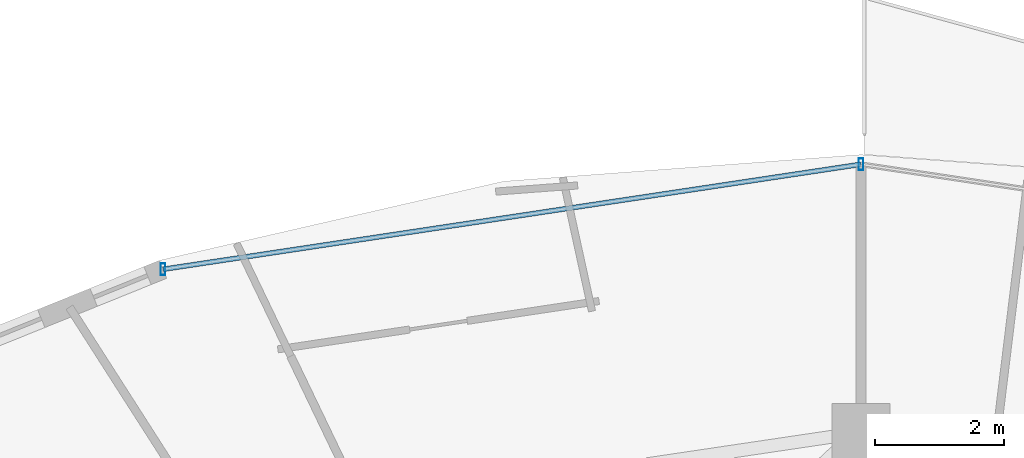
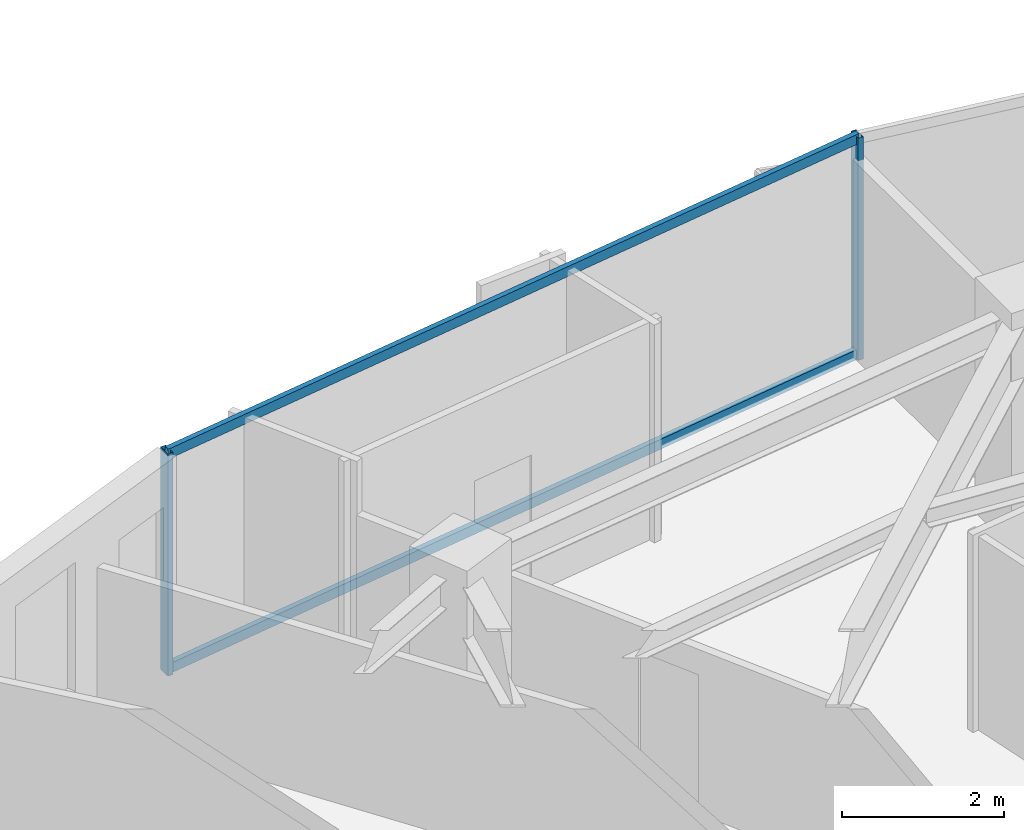
# One storey, part 19 of 33: 4 members, 1 element without a shape of its own.
"""IFC4 building model written with IfcOpenShell, lengths in metres."""

from ifc_helpers import new_model, si_unit, direction, frame, origin, origin_2d, place, context, subcontext, project, spatial, hollow_rectangle, extrude, material, material_profile, profile_set, type_object, element, aggregate, save


model = new_model("IFC4")

# Units and contexts
model_context = context("Model", 3, precision=1e-05, world=origin(), true_north=direction((0.0, 1.0)))
body_context = subcontext(model_context, "Body", "Model", "MODEL_VIEW")
ifc_project = project(units=[si_unit("LENGTHUNIT", "METRE"), si_unit("AREAUNIT", "SQUARE_METRE"), si_unit("VOLUMEUNIT", "CUBIC_METRE"), si_unit("PLANEANGLEUNIT", "RADIAN"), si_unit("MASSUNIT", "GRAM", prefix="KILO")], contexts=[model_context])

# Site, building, storey
site_placement = place(None, origin())
site = spatial("IfcSite", under=ifc_project, at=site_placement, CompositionType="ELEMENT")
building_placement = place(site_placement, origin())
building = spatial("IfcBuilding", under=site, at=building_placement, Name="Vorneva Point Tower", CompositionType="ELEMENT")
storey_placement = place(building_placement, frame((0.0, 0.0, 217.85009765625)))
storey = spatial("IfcBuildingStorey", under=building, at=storey_placement, Name="L59", CompositionType="ELEMENT", Elevation=217.85009765625)

# Curtain wall, members
ifc_material = material(Name="Pale anodised aluminium", Category="aluminium")
curtain_wall_type = type_object("IfcCurtainWallType", Name="CW-RES-SYS", PredefinedType="NOTDEFINED", material=ifc_material)
curtain_wall_placement = place(storey_placement, origin())
curtain_wall = element("IfcCurtainWall", 1, at=curtain_wall_placement, inside=storey, type_object=curtain_wall_type, Name="L59 Unitised Curtain Wall CW-L59-R01", PredefinedType="NOTDEFINED")
ifc_material_profile_1 = material_profile(ifc_material, hollow_rectangle(XDim=0.074951171875, YDim=0.179931640625, WallThickness=0.00390625, at=origin_2d()), Name="AL-MUL 180x75x4")
ifc_profile_set_1 = profile_set([ifc_material_profile_1], Name="Pale anodised aluminium")
member_type_1 = type_object("IfcMemberType", Name="CW-MUL-180", PredefinedType="MULLION", material=ifc_profile_set_1)
member_1_placement = place(storey_placement, frame((38.0, 47.35009765625, -0.0400390625), z_axis=(0.0, 0.0, 1.0), x_axis=(1.0, 0.0, 0.0)))
member_1 = element("IfcMember", 2, at=member_1_placement, type_object=member_type_1, Name="CW-L59-R01 Mullion 04", PredefinedType="MULLION", context=body_context, shape_type="SweptSolid", body=[
    extrude(hollow_rectangle(XDim=0.074951171875, YDim=0.179931640625, WallThickness=0.00390625, at=origin_2d()), origin(), (0.0, 0.0, 1.0), 3.35986328125),
])
member_2_placement = place(storey_placement, frame((27.19677734375, 45.724853515625, -0.0400390625), z_axis=(0.0, 0.0, 1.0), x_axis=(1.0, 0.0, 0.0)))
member_2 = element("IfcMember", 3, at=member_2_placement, type_object=member_type_1, Name="CW-L59-R01 Mullion 05", PredefinedType="MULLION", context=body_context, shape_type="SweptSolid", body=[
    extrude(hollow_rectangle(XDim=0.074951171875, YDim=0.179931640625, WallThickness=0.00390625, at=origin_2d()), origin(), (0.0, 0.0, 1.0), 3.35986328125),
])
ifc_material_profile_2 = material_profile(ifc_material, hollow_rectangle(XDim=0.074951171875, YDim=0.14990234375, WallThickness=0.00390625, at=origin_2d()), Name="AL-TRN 150x75x4")
ifc_profile_set_2 = profile_set([ifc_material_profile_2], Name="Pale anodised aluminium")
member_type_2 = type_object("IfcMemberType", Name="CW-TRN-150", PredefinedType="USERDEFINED", material=ifc_profile_set_2)
member_3_placement = place(storey_placement, frame((38.0, 47.35009765625, 0.02001953125), z_axis=(-0.988872333273, -0.148766624239, 0.0), x_axis=(0.148766624239, -0.988872333273, 0.0)))
member_3 = element("IfcMember", 4, at=member_3_placement, type_object=member_type_2, Name="CW-L59-R01 Transom 04.1", ObjectType="TRANSOM", PredefinedType="USERDEFINED", context=body_context, shape_type="SweptSolid", body=[
    extrude(hollow_rectangle(XDim=0.074951171875, YDim=0.14990234375, WallThickness=0.00390625, at=origin_2d()), origin(), (0.0, 0.0, 1.0), 10.9248046875),
])
member_4_placement = place(storey_placement, frame((38.0, 47.35009765625, 3.27001953125), z_axis=(-0.988872333273, -0.148766624239, 0.0), x_axis=(0.148766624239, -0.988872333273, 0.0)))
member_4 = element("IfcMember", 5, at=member_4_placement, type_object=member_type_2, Name="CW-L59-R01 Transom 04.2", ObjectType="TRANSOM", PredefinedType="USERDEFINED", context=body_context, shape_type="SweptSolid", body=[
    extrude(hollow_rectangle(XDim=0.074951171875, YDim=0.14990234375, WallThickness=0.00390625, at=origin_2d()), origin(), (0.0, 0.0, 1.0), 10.9248046875),
])
aggregate(curtain_wall, [member_1, member_2, member_3, member_4])

save(model, "model.ifc")
